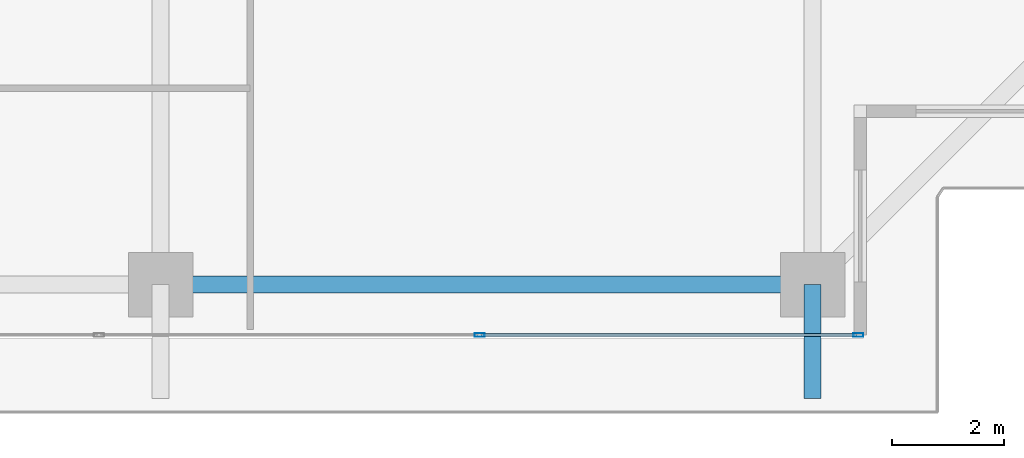
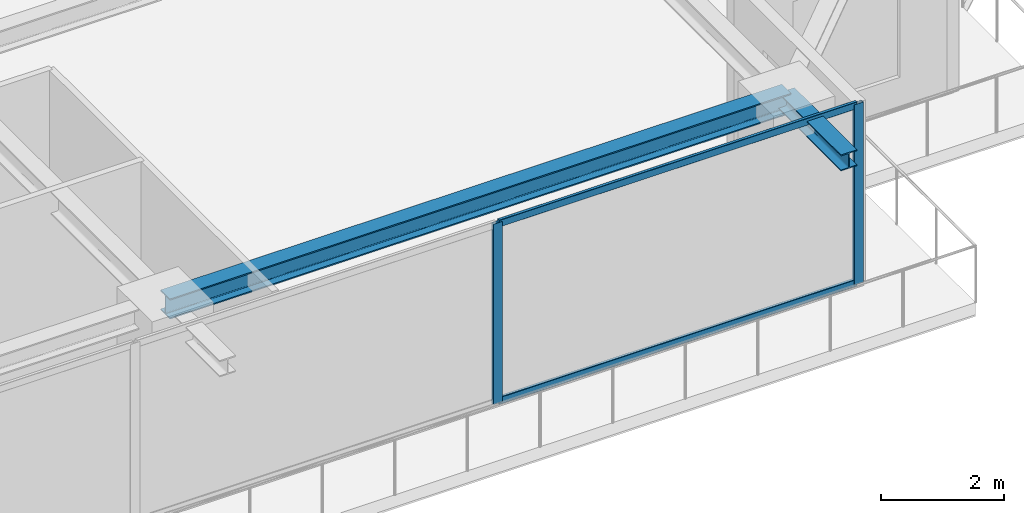
# One storey, part 11 of 37: 4 members, 2 beams, 1 element without a shape of its own.
"""IFC4 building model written with IfcOpenShell, lengths in metres."""

from ifc_helpers import new_model, si_unit, direction, frame, origin, origin_2d, place, context, subcontext, project, spatial, hollow_rectangle, i_section, extrude, source, transform, mapped, material, layer, layer_set, material_profile, profile_set, type_object, element, aggregate, save


model = new_model("IFC4")

# Units and contexts
model_context = context("Model", 3, precision=1e-05, world=origin(), true_north=direction((0.0, 1.0)))
body_context = subcontext(model_context, "Body", "Model", "MODEL_VIEW")
ifc_project = project(units=[si_unit("LENGTHUNIT", "METRE"), si_unit("AREAUNIT", "SQUARE_METRE"), si_unit("VOLUMEUNIT", "CUBIC_METRE"), si_unit("PLANEANGLEUNIT", "RADIAN"), si_unit("MASSUNIT", "GRAM", prefix="KILO")], contexts=[model_context])

# Site, building, storey
site_placement = place(None, origin())
site = spatial("IfcSite", under=ifc_project, at=site_placement, CompositionType="ELEMENT")
building_placement = place(site_placement, origin())
building = spatial("IfcBuilding", under=site, at=building_placement, Name="Serunith Strait Residences", CompositionType="ELEMENT")
storey_placement = place(building_placement, frame((0.0, 0.0, 233.550048828125)))
storey = spatial("IfcBuildingStorey", under=building, at=storey_placement, Name="L58", CompositionType="ELEMENT", Elevation=233.550048828125)

# Beams
ifc_material_1 = material(Name="Steel S355J2", Category="steel")
ifc_material_profile_1 = material_profile(ifc_material_1, i_section(OverallWidth=0.300048828125, OverallDepth=0.39990234375, WebThickness=0.013427734375, FlangeThickness=0.02392578125, FilletRadius=0.027099609375, at=origin_2d()), Name="HEB 400")
ifc_profile_set_1 = profile_set([ifc_material_profile_1], Name="Steel S355J2")
beam_type_1 = type_object("IfcBeamType", Name="BM-HEB400", PredefinedType="BEAM", material=ifc_profile_set_1)
shared_shape_1 = source(origin(), body_context, "Body", "SweptSolid", [
    extrude(i_section(OverallWidth=0.300048828125, OverallDepth=0.39990234375, WebThickness=0.013427734375, FlangeThickness=0.02392578125, FilletRadius=0.027099609375, at=origin_2d()), origin(), (0.0, 0.0, 1.0), 11.650146484375),
])
beam_1_placement = place(storey_placement, frame((36.89990234375, 2.10009765625, 3.386962890625), z_axis=(1.0, 0.0, 0.0), x_axis=(0.0, 1.0, 0.0)))
element("IfcBeam", 1, at=beam_1_placement, inside=storey, type_object=beam_type_1, Name="L58 Perimeter Ring Beam 03", PredefinedType="BEAM", context=body_context, shape_type="MappedRepresentation", body=[
    mapped(shared_shape_1, transform((0.0, 0.0, 0.0), scale=1.0)),
])
ifc_material_profile_2 = material_profile(ifc_material_1, i_section(OverallWidth=0.300048828125, OverallDepth=0.320068359375, WebThickness=0.011474609375, FlangeThickness=0.0205078125, FilletRadius=0.027099609375, at=origin_2d()), Name="HEB 320")
ifc_profile_set_2 = profile_set([ifc_material_profile_2], Name="Steel S355J2")
beam_type_2 = type_object("IfcBeamType", Name="BM-HEB320", PredefinedType="BEAM", material=ifc_profile_set_2)
shared_shape_2 = source(origin(), body_context, "Body", "SweptSolid", [
    extrude(i_section(OverallWidth=0.300048828125, OverallDepth=0.320068359375, WebThickness=0.011474609375, FlangeThickness=0.0205078125, FilletRadius=0.027099609375, at=origin_2d()), origin(), (0.0, 0.0, 1.0), 2.030029296875),
])
beam_2_placement = place(storey_placement, frame((48.550048828125, 2.10009765625, 3.39697265625), z_axis=(0.0, -1.0, 0.0), x_axis=(1.0, 0.0, 0.0)))
element("IfcBeam", 2, at=beam_2_placement, inside=storey, type_object=beam_type_2, Name="L59 Cantilevered Balcony Rib TC-S4", PredefinedType="BEAM", context=body_context, shape_type="MappedRepresentation", body=[
    mapped(shared_shape_2, transform((0.0, 0.0, 0.0), scale=1.0)),
])

# Curtain wall, members
ifc_material_2 = material(Name="Pale-Champagne Anodised Aluminium", Category="aluminium")
ifc_layer = layer(ifc_material_2, 0.199951171875, Name="Pale-Champagne Anodised Aluminium")
ifc_layer_set = layer_set([ifc_layer], Name="Pale-Champagne Anodised Aluminium")
curtain_wall_type = type_object("IfcCurtainWallType", Name="CW-SYS4", PredefinedType="NOTDEFINED", material=ifc_layer_set)
curtain_wall_placement = place(storey_placement, origin())
curtain_wall = element("IfcCurtainWall", 3, at=curtain_wall_placement, inside=storey, type_object=curtain_wall_type, Name="L58 S Unitised Fritted Curtain Wall", PredefinedType="NOTDEFINED")
ifc_material_profile_3 = material_profile(ifc_material_2, hollow_rectangle(XDim=0.06494140625, YDim=0.179931640625, WallThickness=0.00341796875, InnerFilletRadius=0.00537109375, OuterFilletRadius=0.0087890625, at=origin_2d()), Name="ALU 180x65x3.5")
ifc_profile_set_3 = profile_set([ifc_material_profile_3], Name="Pale-Champagne Anodised Aluminium")
member_type_1 = type_object("IfcMemberType", Name="CW-SYS4-MULL", PredefinedType="MULLION", material=ifc_profile_set_3)
shared_shape_3 = source(origin(), body_context, "Body", "SweptSolid", [
    extrude(hollow_rectangle(XDim=0.06494140625, YDim=0.179931640625, WallThickness=0.00341796875, InnerFilletRadius=0.00537109375, OuterFilletRadius=0.0087890625, at=origin_2d()), origin(), (0.0, 0.0, 1.0), 3.574951171875),
])
member_1_placement = place(storey_placement, frame((42.60009765625, 1.199951171875, 0.0), z_axis=(0.0, 0.0, 1.0), x_axis=(0.0, 1.0, 0.0)))
member_1 = element("IfcMember", 4, at=member_1_placement, type_object=member_type_1, Name="CW-4 mullion 5", PredefinedType="MULLION", context=body_context, shape_type="MappedRepresentation", body=[
    mapped(shared_shape_3, transform((0.0, 0.0, 0.0), scale=1.0)),
])
member_2_placement = place(storey_placement, frame((49.367431640625, 1.199951171875, 0.0), z_axis=(0.0, 0.0, 1.0), x_axis=(0.0, 1.0, 0.0)))
member_2 = element("IfcMember", 5, at=member_2_placement, type_object=member_type_1, Name="CW-4 mullion 6", PredefinedType="MULLION", context=body_context, shape_type="MappedRepresentation", body=[
    mapped(shared_shape_3, transform((0.0, 0.0, 0.0), scale=1.0)),
])
ifc_material_profile_4 = material_profile(ifc_material_2, hollow_rectangle(XDim=0.06005859375, YDim=0.139892578125, WallThickness=0.00341796875, InnerFilletRadius=0.00537109375, OuterFilletRadius=0.0087890625, at=origin_2d()), Name="ALU 140x60x3.5")
ifc_profile_set_4 = profile_set([ifc_material_profile_4], Name="Pale-Champagne Anodised Aluminium")
member_type_2 = type_object("IfcMemberType", Name="CW-SYS4-TRAN", PredefinedType="USERDEFINED", material=ifc_profile_set_4)
shared_shape_4 = source(origin(), body_context, "Body", "SweptSolid", [
    extrude(hollow_rectangle(XDim=0.06005859375, YDim=0.139892578125, WallThickness=0.00341796875, InnerFilletRadius=0.00537109375, OuterFilletRadius=0.0087890625, at=origin_2d()), origin(), (0.0, 0.0, 1.0), 6.702392578125),
])
member_3_placement = place(storey_placement, frame((42.632568359375, 1.199951171875, 0.030029296875), z_axis=(1.0, 0.0, 0.0), x_axis=(0.0, 1.0, 0.0)))
member_3 = element("IfcMember", 6, at=member_3_placement, type_object=member_type_2, Name="CW-4 transom 5.1", ObjectType="TRANSOM", PredefinedType="USERDEFINED", context=body_context, shape_type="MappedRepresentation", body=[
    mapped(shared_shape_4, transform((0.0, 0.0, 0.0), scale=1.0)),
])
member_4_placement = place(storey_placement, frame((42.632568359375, 1.199951171875, 3.544921875), z_axis=(1.0, 0.0, 0.0), x_axis=(0.0, 1.0, 0.0)))
member_4 = element("IfcMember", 7, at=member_4_placement, type_object=member_type_2, Name="CW-4 transom 5.2", ObjectType="TRANSOM", PredefinedType="USERDEFINED", context=body_context, shape_type="MappedRepresentation", body=[
    mapped(shared_shape_4, transform((0.0, 0.0, 0.0), scale=1.0)),
])
aggregate(curtain_wall, [member_1, member_2, member_3, member_4])

save(model, "model.ifc")
